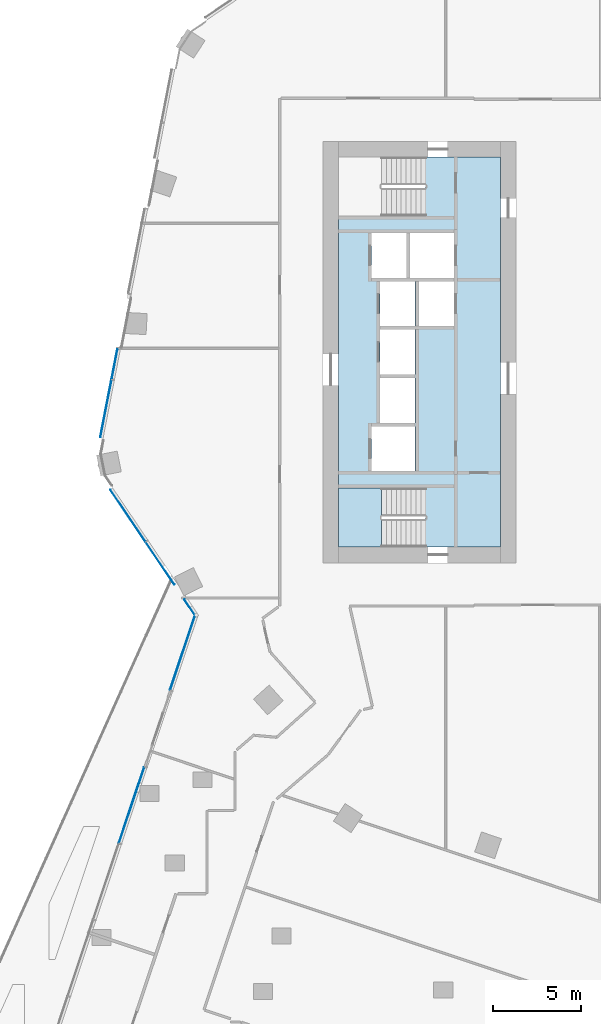
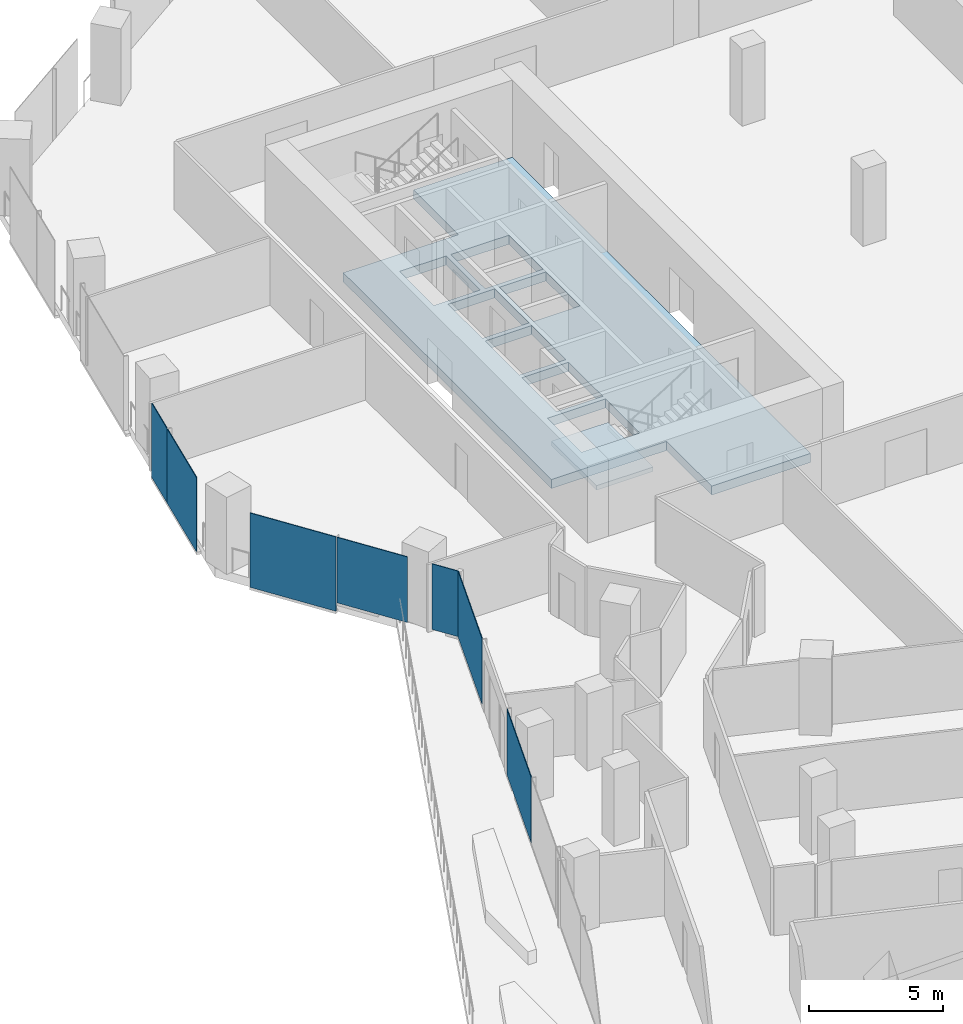
# One storey, part 18 of 34: 7 plates, 2 slabs, 4 elements without a shape of their own.
"""IFC4 building model written with IfcOpenShell, lengths in metres."""

from ifc_helpers import new_model, si_unit, direction, frame, origin, origin_2d, place, context, subcontext, project, spatial, polyline, rectangle, outline, extrude, material, layer, layer_set, type_object, element, aggregate, save


model = new_model("IFC4")

# Units and contexts
model_context = context("Model", 3, precision=1e-05, world=origin(), true_north=direction((0.0, 1.0)))
body_context = subcontext(model_context, "Body", "Model", "MODEL_VIEW")
ifc_project = project(units=[si_unit("LENGTHUNIT", "METRE"), si_unit("AREAUNIT", "SQUARE_METRE"), si_unit("VOLUMEUNIT", "CUBIC_METRE"), si_unit("PLANEANGLEUNIT", "RADIAN"), si_unit("MASSUNIT", "GRAM", prefix="KILO")], contexts=[model_context])

# Site, building, storey
site_placement = place(None, origin())
site = spatial("IfcSite", under=ifc_project, at=site_placement, CompositionType="ELEMENT")
building_placement = place(site_placement, origin())
building = spatial("IfcBuilding", under=site, at=building_placement, Name="Orlundy Tower", CompositionType="ELEMENT")
storey_placement = place(building_placement, frame((0.0, 0.0, 145.60009765625)))
storey = spatial("IfcBuildingStorey", under=building, at=storey_placement, Name="L37", CompositionType="ELEMENT", Elevation=145.60009765625)

# Curtain wall, plates
ifc_material_1 = material(Name="Aluminium bronze anodised", Category="aluminium")
curtain_wall_type = type_object("IfcCurtainWallType", Name="CW1 wall", PredefinedType="NOTDEFINED", material=ifc_material_1)
curtain_wall_1_placement = place(storey_placement, origin())
curtain_wall_1 = element("IfcCurtainWall", 1, at=curtain_wall_1_placement, inside=storey, type_object=curtain_wall_type, Name="CW1 run 012", PredefinedType="NOTDEFINED")
ifc_material_2 = material(Name="Tinted glass", Category="glass")
ifc_layer_1 = layer(ifc_material_2, 0.031982421875)
ifc_layer_set_1 = layer_set([ifc_layer_1], Name="CW1 glass panel 32")
plate_type = type_object("IfcPlateType", Name="CW1 glass panel 32", PredefinedType="CURTAIN_PANEL", material=ifc_layer_set_1)
plate_1_placement = place(storey_placement, frame((-29.8916015625, -25.787109375, 0.119873046875), z_axis=(0.0, 0.0, 1.0), x_axis=(0.317295386712, 0.948326756752, 0.0)))
plate_1 = element("IfcPlate", 2, at=plate_1_placement, type_object=plate_type, Name="CW1 panel", PredefinedType="CURTAIN_PANEL", context=body_context, shape_type="SweptSolid", body=[
    extrude(rectangle(XDim=4.538818359375, YDim=0.031982421875, at=origin_2d()), origin(), (0.0, 0.0, 1.0), 2.97998046875),
])
plate_2_placement = place(storey_placement, frame((-26.98828125, -17.1103515625, 0.119873046875), z_axis=(0.0, 0.0, 1.0), x_axis=(0.317295386712, 0.948326756752, 0.0)))
plate_2 = element("IfcPlate", 3, at=plate_2_placement, type_object=plate_type, Name="CW1 panel", PredefinedType="CURTAIN_PANEL", context=body_context, shape_type="SweptSolid", body=[
    extrude(rectangle(XDim=4.48291015625, YDim=0.031982421875, at=origin_2d()), origin(), (0.0, 0.0, 1.0), 2.97998046875),
])
aggregate(curtain_wall_1, [plate_1, plate_2])

curtain_wall_2_placement = place(storey_placement, origin())
curtain_wall_2 = element("IfcCurtainWall", 4, at=curtain_wall_2_placement, inside=storey, type_object=curtain_wall_type, Name="CW1 run 013", PredefinedType="NOTDEFINED")
plate_3_placement = place(storey_placement, frame((-26.580810546875, -14.534423828125, 0.119873046875), z_axis=(0.0, 0.0, 1.0), x_axis=(-0.559201009656, 0.829032104807, 0.0)))
plate_3 = element("IfcPlate", 5, at=plate_3_placement, type_object=plate_type, Name="CW1 panel", PredefinedType="CURTAIN_PANEL", context=body_context, shape_type="SweptSolid", body=[
    extrude(rectangle(XDim=1.086181640625, YDim=0.031982421875, at=origin_2d()), origin(), (0.0, 0.0, 1.0), 2.97998046875),
])
plate_4_placement = place(storey_placement, frame((-28.267333984375, -12.0341796875, 0.119873046875), z_axis=(0.0, 0.0, 1.0), x_axis=(-0.559201009656, 0.829032104807, 0.0)))
plate_4 = element("IfcPlate", 6, at=plate_4_placement, type_object=plate_type, Name="CW1 panel", PredefinedType="CURTAIN_PANEL", context=body_context, shape_type="SweptSolid", body=[
    extrude(rectangle(XDim=2.906494140625, YDim=0.031982421875, at=origin_2d()), origin(), (0.0, 0.0, 1.0), 2.97998046875),
])
plate_5_placement = place(storey_placement, frame((-30.103759765625, -9.3115234375, -0.280029296875), z_axis=(0.0, 0.0, 1.0), x_axis=(-0.559201009656, 0.829032104807, 0.0)))
plate_5 = element("IfcPlate", 7, at=plate_5_placement, type_object=plate_type, Name="CW1 panel", PredefinedType="CURTAIN_PANEL", context=body_context, shape_type="SweptSolid", body=[
    extrude(rectangle(XDim=3.56201171875, YDim=0.031982421875, at=origin_2d()), origin(), (0.0, 0.0, 1.0), 3.3798828125),
])
aggregate(curtain_wall_2, [plate_3, plate_4, plate_5])

curtain_wall_3_placement = place(storey_placement, origin())
curtain_wall_3 = element("IfcCurtainWall", 8, at=curtain_wall_3_placement, inside=storey, type_object=curtain_wall_type, Name="CW1 run 014", PredefinedType="NOTDEFINED")
plate_6_placement = place(storey_placement, frame((-31.354736328125, -3.220458984375, -0.280029296875), z_axis=(0.0, 0.0, 1.0), x_axis=(0.19080503976, 0.981627952333, 0.0)))
plate_6 = element("IfcPlate", 9, at=plate_6_placement, type_object=plate_type, Name="CW1 panel", PredefinedType="CURTAIN_PANEL", context=body_context, shape_type="SweptSolid", body=[
    extrude(rectangle(XDim=3.326171875, YDim=0.031982421875, at=origin_2d()), origin(), (0.0, 0.0, 1.0), 3.3798828125),
])
plate_7_placement = place(storey_placement, frame((-30.86376953125, -0.6953125, -0.280029296875), z_axis=(0.0, 0.0, 1.0), x_axis=(0.19080503976, 0.981627952333, 0.0)))
plate_7 = element("IfcPlate", 10, at=plate_7_placement, type_object=plate_type, Name="CW1 panel", PredefinedType="CURTAIN_PANEL", context=body_context, shape_type="SweptSolid", body=[
    extrude(rectangle(XDim=1.718994140625, YDim=0.031982421875, at=origin_2d()), origin(), (0.0, 0.0, 1.0), 3.3798828125),
])
aggregate(curtain_wall_3, [plate_6, plate_7])

# Slab
ifc_material_3 = material(Name="Concrete C50/60", Category="concrete")
ifc_layer_2 = layer(ifc_material_3, 0.409912109375)
ifc_layer_set_2 = layer_set([ifc_layer_2], Name="Core Floor Slab 410")
slab_type_1 = type_object("IfcSlabType", Name="Core Floor Slab 410", PredefinedType="FLOOR", material=ifc_layer_set_2)
slab_1_placement = place(storey_placement, frame((0.0, 0.0, -0.41015625)))
element("IfcSlab", 11, at=slab_1_placement, inside=storey, type_object=slab_type_1, Name="Core floor W28", PredefinedType="FLOOR", context=body_context, shape_type="SweptSolid", body=[
    extrude(outline(polyline([(-13.14501953125, -11.10009765625), (-13.14501953125, -7.75), (-18.10009765625, -7.75), (-18.10009765625, 7.75), (-13.14501953125, 7.75), (-13.14501953125, 11.10009765625), (-8.89990234375, 11.10009765625), (-8.89990234375, -11.10009765625), (-13.14501953125, -11.10009765625)]), holes=[polyline([(-13.739990234375, -4.22509765625), (-16.239990234375, -4.22509765625), (-16.239990234375, -6.77490234375), (-13.739990234375, -6.77490234375), (-13.739990234375, -4.22509765625)]), polyline([(-13.739990234375, -4.02490234375), (-13.739990234375, -1.47509765625), (-15.739990234375, -1.47509765625), (-15.739990234375, -4.02490234375), (-13.739990234375, -4.02490234375)]), polyline([(-15.739990234375, -1.27490234375), (-13.739990234375, -1.27490234375), (-13.739990234375, 1.27490234375), (-15.739990234375, 1.27490234375), (-15.739990234375, -1.27490234375)]), polyline([(-13.5400390625, 4.02490234375), (-13.5400390625, 1.47509765625), (-11.5400390625, 1.47509765625), (-11.5400390625, 4.02490234375), (-13.5400390625, 4.02490234375)]), polyline([(-13.739990234375, 4.02490234375), (-15.739990234375, 4.02490234375), (-15.739990234375, 1.47509765625), (-13.739990234375, 1.47509765625), (-13.739990234375, 4.02490234375)]), polyline([(-11.5400390625, 4.22509765625), (-11.5400390625, 6.77490234375), (-14.0400390625, 6.77490234375), (-14.0400390625, 4.22509765625), (-11.5400390625, 4.22509765625)]), polyline([(-16.239990234375, 4.22509765625), (-14.239990234375, 4.22509765625), (-14.239990234375, 6.77490234375), (-16.239990234375, 6.77490234375), (-16.239990234375, 4.22509765625)])]), origin(), (0.0, 0.0, 1.0), 0.41015625),
])

# Stair, slab
ifc_material_4 = material(Name="Concrete C50/60", Category="concrete")
stair_type = type_object("IfcStairType", Name="Exit Stair 20 risers", PredefinedType="HALF_TURN_STAIR", material=ifc_material_4)
stair_placement = place(storey_placement, origin())
stair = element("IfcStair", 12, at=stair_placement, inside=storey, type_object=stair_type, Name="L37 Exit Stair ST-W2", PredefinedType="HALF_TURN_STAIR")
ifc_material_5 = material(Name="Concrete C50/60", Category="concrete")
ifc_layer_3 = layer(ifc_material_5, 0.199951171875)
ifc_layer_set_3 = layer_set([ifc_layer_3], Name="Exit Stair Landing")
slab_type_2 = type_object("IfcSlabType", Name="Exit Stair Landing", PredefinedType="LANDING", material=ifc_layer_set_3)
slab_2_placement = place(storey_placement, frame((0.0, 0.0, 1.5498046875)))
slab_2 = element("IfcSlab", 13, at=slab_2_placement, type_object=slab_type_2, Name="ST-W2 landing 1", PredefinedType="LANDING", context=body_context, shape_type="SweptSolid", body=[
    extrude(outline(polyline([(-15.659912109375, -7.75), (-18.10009765625, -7.75), (-18.10009765625, -11.10009765625), (-15.659912109375, -11.10009765625), (-15.659912109375, -7.75)])), origin(), (0.0, 0.0, 1.0), 0.2001953125),
])
aggregate(stair, [slab_2])

save(model, "model.ifc")
